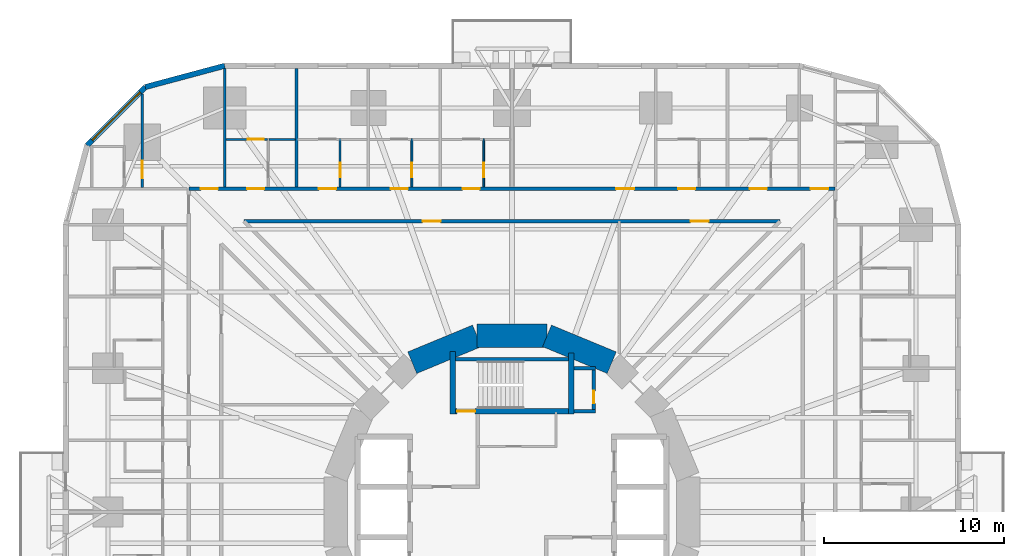
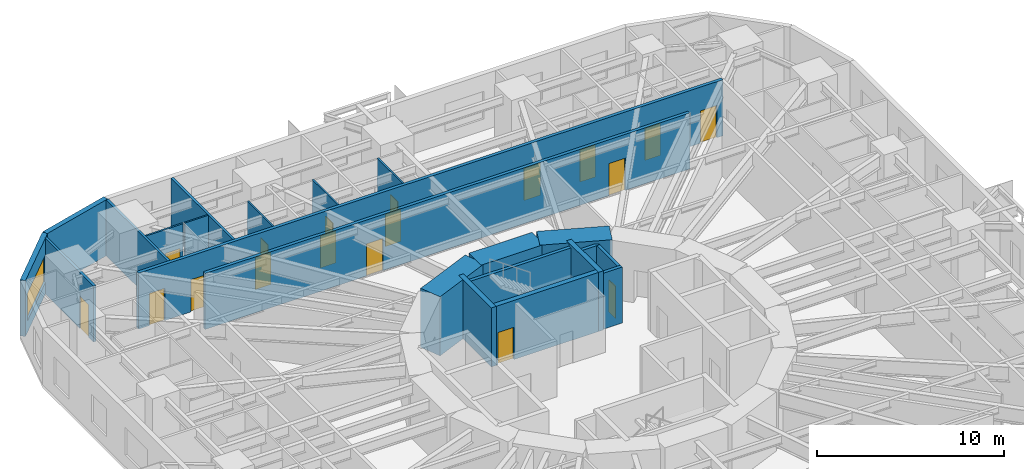
# One storey, part 10 of 14: 22 walls, 18 doors, 1 window, 19 openings.
"""IFC4 building model written with IfcOpenShell, lengths in metres."""

from ifc_helpers import new_model, si_unit, direction, frame, frame_2d, origin, place, context, subcontext, project, spatial, rectangle, extrude, material, layer, layer_set, type_object, element, fill, save


model = new_model("IFC4")

# Units and contexts
model_context = context("Model", 3, precision=1e-05, world=origin(), true_north=direction((0.0, 1.0)))
body_context = subcontext(model_context, "Body", "Model", "MODEL_VIEW")
ifc_project = project(units=[si_unit("LENGTHUNIT", "METRE"), si_unit("AREAUNIT", "SQUARE_METRE"), si_unit("VOLUMEUNIT", "CUBIC_METRE"), si_unit("PLANEANGLEUNIT", "RADIAN"), si_unit("MASSUNIT", "GRAM", prefix="KILO")], contexts=[model_context])

# Site, building, storey
site_placement = place(None, origin())
site = spatial("IfcSite", under=ifc_project, at=site_placement, CompositionType="ELEMENT")
building_placement = place(site_placement, origin())
building = spatial("IfcBuilding", under=site, at=building_placement, Name="Nakasero Lantern House", CompositionType="ELEMENT")
storey_placement = place(building_placement, frame((0.0, 0.0, 19.85009765625)))
storey = spatial("IfcBuildingStorey", under=building, at=storey_placement, Name="L04", CompositionType="ELEMENT", Elevation=19.85009765625)

# Wall, opening, door
ifc_material_1 = material(Name="Concrete C50/60", Category="concrete")
ifc_layer_1 = layer(ifc_material_1, 0.300048828125)
ifc_layer_set_1 = layer_set([ifc_layer_1], Name="Core inner wall 300")
wall_type_1 = type_object("IfcWallType", Name="Core inner wall 300", PredefinedType="SHEAR", material=ifc_layer_set_1)
wall_1_placement = place(storey_placement, frame((-3.449951171875, 5.60009765625, 0.0), z_axis=(0.0, 0.0, 1.0), x_axis=(1.0, 0.0, 0.0)))
wall_1 = element("IfcWall", 1, at=wall_1_placement, inside=storey, type_object=wall_type_1, Name="Core inner wall L04 SN", PredefinedType="SHEAR", context=body_context, shape_type="SweptSolid", body=[
    extrude(rectangle(XDim=6.89990234375, YDim=0.300048828125, at=frame_2d((3.449951171875, 0.0))), origin(), (0.0, 0.0, 1.0), 3.849853515625),
])
opening_1_placement = place(wall_1_placement, frame((0.39990234375, 0.0, 0.0)))
opening_1 = element("IfcOpeningElement", 2, at=opening_1_placement, cuts=wall_1, Name="Opening D05", PredefinedType="OPENING", context=body_context, shape_type="SweptSolid", body=[
    extrude(rectangle(XDim=1.0, YDim=2.10009765625, at=frame_2d((0.5, 1.050048828125))), frame((0.0, 0.169921875, 0.0), z_axis=(0.0, -1.0, 0.0), x_axis=(1.0, 0.0, 0.0)), (0.0, 0.0, 1.0), 0.340087890625),
])
ifc_material_2 = material(Name="Timber C24", Category="wood")
door_type_1 = type_object("IfcDoorType", Name="Core door FD60S 1000", OperationType="SINGLE_SWING_LEFT", PredefinedType="DOOR", material=ifc_material_2)
door_1_placement = place(opening_1_placement, origin())
door_1 = element("IfcDoor", 3, at=door_1_placement, inside=storey, type_object=door_type_1, Name="Door L04 D-ST1", OperationType="SINGLE_SWING_LEFT", OverallHeight=2.10009765625, OverallWidth=1.0, PredefinedType="DOOR", context=body_context, shape_type="SweptSolid", body=[
    extrude(rectangle(XDim=1.0, YDim=2.10009765625, at=frame_2d((0.5, 1.050048828125))), frame((0.0, 0.02490234375, 0.0), z_axis=(0.0, -1.0, 0.0), x_axis=(1.0, 0.0, 0.0)), (0.0, 0.0, 1.0), 0.050048828125),
])
fill(opening_1, door_1)

# Walls
wall_2_placement = place(storey_placement, frame((-3.300048828125, 5.449951171875, 0.0), z_axis=(0.0, 0.0, 1.0), x_axis=(0.0, 1.0, 0.0)))
element("IfcWall", 4, at=wall_2_placement, inside=storey, type_object=wall_type_1, Name="Core inner wall L04 SNW", PredefinedType="SHEAR", context=body_context, shape_type="SweptSolid", body=[
    extrude(rectangle(XDim=3.5, YDim=0.300048828125, at=frame_2d((1.75, 0.0))), origin(), (0.0, 0.0, 1.0), 3.849853515625),
])
wall_3_placement = place(storey_placement, frame((3.300048828125, 5.449951171875, 0.0), z_axis=(0.0, 0.0, 1.0), x_axis=(0.0, 1.0, 0.0)))
element("IfcWall", 5, at=wall_3_placement, inside=storey, type_object=wall_type_1, Name="Core inner wall L04 SNE", PredefinedType="SHEAR", context=body_context, shape_type="SweptSolid", body=[
    extrude(rectangle(XDim=3.400146484375, YDim=0.300048828125, at=frame_2d((1.7001953125, 0.0))), origin(), (0.0, 0.0, 1.0), 3.849853515625),
])
ifc_material_3 = material(Name="Concrete C50/60", Category="concrete")
ifc_layer_2 = layer(ifc_material_3, 1.300048828125)
ifc_layer_set_2 = layer_set([ifc_layer_2], Name="Core wall 1300")
wall_type_2 = type_object("IfcWallType", Name="Core wall 1300", PredefinedType="SHEAR", material=ifc_layer_set_2)
for number, where, z_axis, x_axis, name in (
    (6, (5.5556640625, 8.314697265625, 0.0), (0.0, 0.0, 1.0), (-0.923876507187, 0.382690736062, 0.0), "Core wall L04 facet 3"),
    (7, (1.950927734375, 9.807861328125, 0.0), (0.0, 0.0, 1.0), (-1.0, 0.0, 0.0), "Core wall L04 facet 4"),
    (8, (-1.950927734375, 9.807861328125, 0.0), (0.0, 0.0, 1.0), (-0.923876507187, -0.382690736062, 0.0), "Core wall L04 facet 5"),
):
    element("IfcWall", number, at=place(storey_placement, frame(where, z_axis=z_axis, x_axis=x_axis)), inside=storey, type_object=wall_type_2, Name=name, PredefinedType="SHEAR", context=body_context, shape_type="SweptSolid", body=[
        extrude(rectangle(XDim=3.90185546875, YDim=1.300048828125, at=frame_2d((1.950927734375, 0.0))), origin(), (0.0, 0.0, 1.0), 3.849853515625),
    ])

# Wall, openings, doors
ifc_material_4 = material(Name="Blockwork", Category="masonry")
ifc_layer_3 = layer(ifc_material_4, 0.199951171875)
ifc_layer_set_3 = layer_set([ifc_layer_3], Name="Corridor wall 200")
wall_type_3 = type_object("IfcWallType", Name="Corridor wall 200", PredefinedType="PARTITIONING", material=ifc_layer_set_3)
wall_4_placement = place(storey_placement, frame((18.0, 18.0, 0.0), z_axis=(0.0, 0.0, 1.0), x_axis=(-1.0, 0.0, 0.0)))
wall_4 = element("IfcWall", 9, at=wall_4_placement, inside=storey, type_object=wall_type_3, Name="Corridor wall L04 CW1", PredefinedType="PARTITIONING", context=body_context, shape_type="SweptSolid", body=[
    extrude(rectangle(XDim=36.0, YDim=0.199951171875, at=frame_2d((18.0, 0.0))), origin(), (0.0, 0.0, 1.0), 3.64990234375),
])
opening_2_placement = place(wall_4_placement, frame((0.375, 0.0, 0.0)))
opening_2 = element("IfcOpeningElement", 10, at=opening_2_placement, cuts=wall_4, Name="Opening D07", PredefinedType="OPENING", context=body_context, shape_type="SweptSolid", body=[
    extrude(rectangle(XDim=1.0, YDim=2.10009765625, at=frame_2d((0.5, 1.050048828125))), frame((0.0, 0.119873046875, 0.0), z_axis=(0.0, -1.0, 0.0), x_axis=(1.0, 0.0, 0.0)), (0.0, 0.0, 1.0), 0.239990234375),
])
opening_3_placement = place(wall_4_placement, frame((3.800048828125, 0.0, 0.0)))
opening_3 = element("IfcOpeningElement", 11, at=opening_3_placement, cuts=wall_4, Name="Opening D01", PredefinedType="OPENING", context=body_context, shape_type="SweptSolid", body=[
    extrude(rectangle(XDim=0.949951171875, YDim=2.10009765625, at=frame_2d((0.47509765625, 1.050048828125))), frame((0.0, 0.119873046875, 0.0), z_axis=(0.0, -1.0, 0.0), x_axis=(1.0, 0.0, 0.0)), (0.0, 0.0, 1.0), 0.239990234375),
])
opening_4_placement = place(wall_4_placement, frame((7.800048828125, 0.0, 0.0)))
opening_4 = element("IfcOpeningElement", 12, at=opening_4_placement, cuts=wall_4, Name="Opening D01", PredefinedType="OPENING", context=body_context, shape_type="SweptSolid", body=[
    extrude(rectangle(XDim=0.949951171875, YDim=2.10009765625, at=frame_2d((0.47509765625, 1.050048828125))), frame((0.0, 0.119873046875, 0.0), z_axis=(0.0, -1.0, 0.0), x_axis=(1.0, 0.0, 0.0)), (0.0, 0.0, 1.0), 0.239990234375),
])
opening_5_placement = place(wall_4_placement, frame((19.800048828125, 0.0, 0.0)))
opening_5 = element("IfcOpeningElement", 13, at=opening_5_placement, cuts=wall_4, Name="Opening D01", PredefinedType="OPENING", context=body_context, shape_type="SweptSolid", body=[
    extrude(rectangle(XDim=0.949951171875, YDim=2.10009765625, at=frame_2d((0.47509765625, 1.050048828125))), frame((0.0, 0.119873046875, 0.0), z_axis=(0.0, -1.0, 0.0), x_axis=(1.0, 0.0, 0.0)), (0.0, 0.0, 1.0), 0.239990234375),
])
opening_6_placement = place(wall_4_placement, frame((23.800048828125, 0.0, 0.0)))
opening_6 = element("IfcOpeningElement", 14, at=opening_6_placement, cuts=wall_4, Name="Opening D01", PredefinedType="OPENING", context=body_context, shape_type="SweptSolid", body=[
    extrude(rectangle(XDim=0.949951171875, YDim=2.10009765625, at=frame_2d((0.47509765625, 1.050048828125))), frame((0.0, 0.119873046875, 0.0), z_axis=(0.0, -1.0, 0.0), x_axis=(1.0, 0.0, 0.0)), (0.0, 0.0, 1.0), 0.239990234375),
])
opening_7_placement = place(wall_4_placement, frame((27.800048828125, 0.0, 0.0)))
opening_7 = element("IfcOpeningElement", 15, at=opening_7_placement, cuts=wall_4, Name="Opening D01", PredefinedType="OPENING", context=body_context, shape_type="SweptSolid", body=[
    extrude(rectangle(XDim=0.949951171875, YDim=2.10009765625, at=frame_2d((0.47509765625, 1.050048828125))), frame((0.0, 0.119873046875, 0.0), z_axis=(0.0, -1.0, 0.0), x_axis=(1.0, 0.0, 0.0)), (0.0, 0.0, 1.0), 0.239990234375),
])
opening_8_placement = place(wall_4_placement, frame((31.800048828125, 0.0, 0.0)))
opening_8 = element("IfcOpeningElement", 16, at=opening_8_placement, cuts=wall_4, Name="Opening D01", PredefinedType="OPENING", context=body_context, shape_type="SweptSolid", body=[
    extrude(rectangle(XDim=0.949951171875, YDim=2.10009765625, at=frame_2d((0.47509765625, 1.050048828125))), frame((0.0, 0.119873046875, 0.0), z_axis=(0.0, -1.0, 0.0), x_axis=(1.0, 0.0, 0.0)), (0.0, 0.0, 1.0), 0.239990234375),
])
opening_9_placement = place(wall_4_placement, frame((34.375, 0.0, 0.0)))
opening_9 = element("IfcOpeningElement", 17, at=opening_9_placement, cuts=wall_4, Name="Opening D01", PredefinedType="OPENING", context=body_context, shape_type="SweptSolid", body=[
    extrude(rectangle(XDim=0.949951171875, YDim=2.10009765625, at=frame_2d((0.47509765625, 1.050048828125))), frame((0.0, 0.119873046875, 0.0), z_axis=(0.0, -1.0, 0.0), x_axis=(1.0, 0.0, 0.0)), (0.0, 0.0, 1.0), 0.239990234375),
])
opening_10_placement = place(wall_4_placement, frame((11.199951171875, 0.0, 0.0)))
opening_10 = element("IfcOpeningElement", 18, at=opening_10_placement, cuts=wall_4, Name="Opening D03", PredefinedType="OPENING", context=body_context, shape_type="SweptSolid", body=[
    extrude(rectangle(XDim=1.0, YDim=2.10009765625, at=frame_2d((0.5, 1.050048828125))), frame((0.0, 0.119873046875, 0.0), z_axis=(0.0, -1.0, 0.0), x_axis=(1.0, 0.0, 0.0)), (0.0, 0.0, 1.0), 0.239990234375),
])
ifc_material_5 = material(Name="Timber C24", Category="wood")
door_type_2 = type_object("IfcDoorType", Name="Bedroom door FD30S 950", OperationType="SINGLE_SWING_LEFT", PredefinedType="DOOR", material=ifc_material_5)
door_2_placement = place(opening_3_placement, origin())
door_2 = element("IfcDoor", 19, at=door_2_placement, inside=storey, type_object=door_type_2, Name="Door L04 D1-01", OperationType="SINGLE_SWING_LEFT", OverallHeight=2.10009765625, OverallWidth=0.949951171875, PredefinedType="DOOR", context=body_context, shape_type="SweptSolid", body=[
    extrude(rectangle(XDim=0.949951171875, YDim=2.10009765625, at=frame_2d((0.47509765625, 1.050048828125))), frame((0.0, 0.02490234375, 0.0), z_axis=(0.0, -1.0, 0.0), x_axis=(1.0, 0.0, 0.0)), (0.0, 0.0, 1.0), 0.050048828125),
])
fill(opening_3, door_2)
door_3_placement = place(opening_4_placement, origin())
door_3 = element("IfcDoor", 20, at=door_3_placement, inside=storey, type_object=door_type_2, Name="Door L04 D1-02", OperationType="SINGLE_SWING_LEFT", OverallHeight=2.10009765625, OverallWidth=0.949951171875, PredefinedType="DOOR", context=body_context, shape_type="SweptSolid", body=[
    extrude(rectangle(XDim=0.949951171875, YDim=2.10009765625, at=frame_2d((0.47509765625, 1.050048828125))), frame((0.0, 0.02490234375, 0.0), z_axis=(0.0, -1.0, 0.0), x_axis=(1.0, 0.0, 0.0)), (0.0, 0.0, 1.0), 0.050048828125),
])
fill(opening_4, door_3)
door_4_placement = place(opening_5_placement, origin())
door_4 = element("IfcDoor", 21, at=door_4_placement, inside=storey, type_object=door_type_2, Name="Door L04 D1-05", OperationType="SINGLE_SWING_RIGHT", OverallHeight=2.10009765625, OverallWidth=0.949951171875, PredefinedType="DOOR", context=body_context, shape_type="SweptSolid", body=[
    extrude(rectangle(XDim=0.949951171875, YDim=2.10009765625, at=frame_2d((0.47509765625, 1.050048828125))), frame((0.0, 0.02490234375, 0.0), z_axis=(0.0, -1.0, 0.0), x_axis=(1.0, 0.0, 0.0)), (0.0, 0.0, 1.0), 0.050048828125),
])
fill(opening_5, door_4)
door_5_placement = place(opening_6_placement, origin())
door_5 = element("IfcDoor", 22, at=door_5_placement, inside=storey, type_object=door_type_2, Name="Door L04 D1-06", OperationType="SINGLE_SWING_RIGHT", OverallHeight=2.10009765625, OverallWidth=0.949951171875, PredefinedType="DOOR", context=body_context, shape_type="SweptSolid", body=[
    extrude(rectangle(XDim=0.949951171875, YDim=2.10009765625, at=frame_2d((0.47509765625, 1.050048828125))), frame((0.0, 0.02490234375, 0.0), z_axis=(0.0, -1.0, 0.0), x_axis=(1.0, 0.0, 0.0)), (0.0, 0.0, 1.0), 0.050048828125),
])
fill(opening_6, door_5)
door_6_placement = place(opening_7_placement, origin())
door_6 = element("IfcDoor", 23, at=door_6_placement, inside=storey, type_object=door_type_2, Name="Door L04 D1-07", OperationType="SINGLE_SWING_RIGHT", OverallHeight=2.10009765625, OverallWidth=0.949951171875, PredefinedType="DOOR", context=body_context, shape_type="SweptSolid", body=[
    extrude(rectangle(XDim=0.949951171875, YDim=2.10009765625, at=frame_2d((0.47509765625, 1.050048828125))), frame((0.0, 0.02490234375, 0.0), z_axis=(0.0, -1.0, 0.0), x_axis=(1.0, 0.0, 0.0)), (0.0, 0.0, 1.0), 0.050048828125),
])
fill(opening_7, door_6)
door_7_placement = place(opening_8_placement, origin())
door_7 = element("IfcDoor", 24, at=door_7_placement, inside=storey, type_object=door_type_2, Name="Door L04 D1-08", OperationType="SINGLE_SWING_RIGHT", OverallHeight=2.10009765625, OverallWidth=0.949951171875, PredefinedType="DOOR", context=body_context, shape_type="SweptSolid", body=[
    extrude(rectangle(XDim=0.949951171875, YDim=2.10009765625, at=frame_2d((0.47509765625, 1.050048828125))), frame((0.0, 0.02490234375, 0.0), z_axis=(0.0, -1.0, 0.0), x_axis=(1.0, 0.0, 0.0)), (0.0, 0.0, 1.0), 0.050048828125),
])
fill(opening_8, door_7)
door_8_placement = place(opening_9_placement, origin())
door_8 = element("IfcDoor", 25, at=door_8_placement, inside=storey, type_object=door_type_2, Name="Door L04 D1-09", OperationType="SINGLE_SWING_RIGHT", OverallHeight=2.10009765625, OverallWidth=0.949951171875, PredefinedType="DOOR", context=body_context, shape_type="SweptSolid", body=[
    extrude(rectangle(XDim=0.949951171875, YDim=2.10009765625, at=frame_2d((0.47509765625, 1.050048828125))), frame((0.0, 0.02490234375, 0.0), z_axis=(0.0, -1.0, 0.0), x_axis=(1.0, 0.0, 0.0)), (0.0, 0.0, 1.0), 0.050048828125),
])
fill(opening_9, door_8)
ifc_material_6 = material(Name="Timber C24", Category="wood")
door_type_3 = type_object("IfcDoorType", Name="Lounge door FD30S 1000", OperationType="SINGLE_SWING_LEFT", PredefinedType="DOOR", material=ifc_material_6)
door_9_placement = place(opening_10_placement, origin())
door_9 = element("IfcDoor", 26, at=door_9_placement, inside=storey, type_object=door_type_3, Name="Door L04 DK1", OperationType="SINGLE_SWING_LEFT", OverallHeight=2.10009765625, OverallWidth=1.0, PredefinedType="DOOR", context=body_context, shape_type="SweptSolid", body=[
    extrude(rectangle(XDim=1.0, YDim=2.10009765625, at=frame_2d((0.5, 1.050048828125))), frame((0.0, 0.02490234375, 0.0), z_axis=(0.0, -1.0, 0.0), x_axis=(1.0, 0.0, 0.0)), (0.0, 0.0, 1.0), 0.050048828125),
])
fill(opening_10, door_9)
ifc_material_7 = material(Name="Timber C24", Category="wood")
door_type_4 = type_object("IfcDoorType", Name="Room door FD30S 1000", OperationType="SINGLE_SWING_LEFT", PredefinedType="DOOR", material=ifc_material_7)
door_10_placement = place(opening_2_placement, origin())
door_10 = element("IfcDoor", 27, at=door_10_placement, inside=storey, type_object=door_type_4, Name="Door L04 D1-00", OperationType="SINGLE_SWING_LEFT", OverallHeight=2.10009765625, OverallWidth=1.0, PredefinedType="DOOR", context=body_context, shape_type="SweptSolid", body=[
    extrude(rectangle(XDim=1.0, YDim=2.10009765625, at=frame_2d((0.5, 1.050048828125))), frame((0.0, 0.02490234375, 0.0), z_axis=(0.0, -1.0, 0.0), x_axis=(1.0, 0.0, 0.0)), (0.0, 0.0, 1.0), 0.050048828125),
])
fill(opening_2, door_10)

wall_5_placement = place(storey_placement, frame((14.92724609375, 16.199951171875, 0.0), z_axis=(0.0, 0.0, 1.0), x_axis=(-1.0, 0.0, 0.0)))
wall_5 = element("IfcWall", 28, at=wall_5_placement, inside=storey, type_object=wall_type_3, Name="Corridor wall L04 IW1-0", PredefinedType="PARTITIONING", context=body_context, shape_type="SweptSolid", body=[
    extrude(rectangle(XDim=29.8544921875, YDim=0.199951171875, at=frame_2d((14.92724609375, 0.0))), origin(), (0.0, 0.0, 1.0), 3.64990234375),
])
opening_11_placement = place(wall_5_placement, frame((3.978271484375, 0.0, 0.0)))
opening_11 = element("IfcOpeningElement", 29, at=opening_11_placement, cuts=wall_5, Name="Opening D07", PredefinedType="OPENING", context=body_context, shape_type="SweptSolid", body=[
    extrude(rectangle(XDim=1.0, YDim=2.10009765625, at=frame_2d((0.5, 1.050048828125))), frame((0.0, 0.119873046875, 0.0), z_axis=(0.0, -1.0, 0.0), x_axis=(1.0, 0.0, 0.0)), (0.0, 0.0, 1.0), 0.239990234375),
])
opening_12_placement = place(wall_5_placement, frame((18.9052734375, 0.0, 0.0)))
opening_12 = element("IfcOpeningElement", 30, at=opening_12_placement, cuts=wall_5, Name="Opening D07", PredefinedType="OPENING", context=body_context, shape_type="SweptSolid", body=[
    extrude(rectangle(XDim=1.0, YDim=2.10009765625, at=frame_2d((0.5, 1.050048828125))), frame((0.0, 0.119873046875, 0.0), z_axis=(0.0, -1.0, 0.0), x_axis=(1.0, 0.0, 0.0)), (0.0, 0.0, 1.0), 0.239990234375),
])
door_11_placement = place(opening_11_placement, origin())
door_11 = element("IfcDoor", 31, at=door_11_placement, inside=storey, type_object=door_type_4, Name="Door L04 DI2", OperationType="SINGLE_SWING_LEFT", OverallHeight=2.10009765625, OverallWidth=1.0, PredefinedType="DOOR", context=body_context, shape_type="SweptSolid", body=[
    extrude(rectangle(XDim=1.0, YDim=2.10009765625, at=frame_2d((0.5, 1.050048828125))), frame((0.0, 0.02490234375, 0.0), z_axis=(0.0, -1.0, 0.0), x_axis=(1.0, 0.0, 0.0)), (0.0, 0.0, 1.0), 0.050048828125),
])
fill(opening_11, door_11)
door_12_placement = place(opening_12_placement, origin())
door_12 = element("IfcDoor", 32, at=door_12_placement, inside=storey, type_object=door_type_4, Name="Door L04 DI2S", OperationType="SINGLE_SWING_RIGHT", OverallHeight=2.10009765625, OverallWidth=1.0, PredefinedType="DOOR", context=body_context, shape_type="SweptSolid", body=[
    extrude(rectangle(XDim=1.0, YDim=2.10009765625, at=frame_2d((0.5, 1.050048828125))), frame((0.0, 0.02490234375, 0.0), z_axis=(0.0, -1.0, 0.0), x_axis=(1.0, 0.0, 0.0)), (0.0, 0.0, 1.0), 0.050048828125),
])
fill(opening_12, door_12)

# Wall, opening, door
ifc_material_8 = material(Name="Blockwork", Category="masonry")
ifc_layer_4 = layer(ifc_material_8, 0.10009765625)
ifc_layer_set_4 = layer_set([ifc_layer_4], Name="En-suite wall 100")
wall_type_4 = type_object("IfcWallType", Name="En-suite wall 100", PredefinedType="PARTITIONING", material=ifc_layer_set_4)
wall_6_placement = place(storey_placement, frame((-1.574951171875, 18.10009765625, 0.0), z_axis=(0.0, 0.0, 1.0), x_axis=(0.0, 1.0, 0.0)))
wall_6 = element("IfcWall", 33, at=wall_6_placement, inside=storey, type_object=wall_type_4, Name="En-suite wall L04 ES1-05", PredefinedType="PARTITIONING", context=body_context, shape_type="SweptSolid", body=[
    extrude(rectangle(XDim=2.699951171875, YDim=0.10009765625, at=frame_2d((1.35009765625, 0.0))), origin(), (0.0, 0.0, 1.0), 3.64990234375),
])
opening_13_placement = place(wall_6_placement, frame((0.550048828125, 0.0, 0.0)))
opening_13 = element("IfcOpeningElement", 34, at=opening_13_placement, cuts=wall_6, Name="Opening D02", PredefinedType="OPENING", context=body_context, shape_type="SweptSolid", body=[
    extrude(rectangle(XDim=0.800048828125, YDim=2.10009765625, at=frame_2d((0.39990234375, 1.050048828125))), frame((0.0, 0.070068359375, 0.0), z_axis=(0.0, -1.0, 0.0), x_axis=(1.0, 0.0, 0.0)), (0.0, 0.0, 1.0), 0.14013671875),
])
ifc_material_9 = material(Name="Timber C24", Category="wood")
door_type_5 = type_object("IfcDoorType", Name="En-suite door 800", OperationType="SINGLE_SWING_RIGHT", PredefinedType="DOOR", material=ifc_material_9)
door_13_placement = place(opening_13_placement, origin())
door_13 = element("IfcDoor", 35, at=door_13_placement, inside=storey, type_object=door_type_5, Name="Door L04 DE1-05", OperationType="SINGLE_SWING_LEFT", OverallHeight=2.10009765625, OverallWidth=0.800048828125, PredefinedType="DOOR", context=body_context, shape_type="SweptSolid", body=[
    extrude(rectangle(XDim=0.800048828125, YDim=2.10009765625, at=frame_2d((0.39990234375, 1.050048828125))), frame((0.0, 0.02490234375, 0.0), z_axis=(0.0, -1.0, 0.0), x_axis=(1.0, 0.0, 0.0)), (0.0, 0.0, 1.0), 0.050048828125),
])
fill(opening_13, door_13)

wall_7_placement = place(storey_placement, frame((-5.574951171875, 18.10009765625, 0.0), z_axis=(0.0, 0.0, 1.0), x_axis=(0.0, 1.0, 0.0)))
wall_7 = element("IfcWall", 36, at=wall_7_placement, inside=storey, type_object=wall_type_4, Name="En-suite wall L04 ES1-06", PredefinedType="PARTITIONING", context=body_context, shape_type="SweptSolid", body=[
    extrude(rectangle(XDim=2.699951171875, YDim=0.10009765625, at=frame_2d((1.35009765625, 0.0))), origin(), (0.0, 0.0, 1.0), 3.64990234375),
])
opening_14_placement = place(wall_7_placement, frame((0.550048828125, 0.0, 0.0)))
opening_14 = element("IfcOpeningElement", 37, at=opening_14_placement, cuts=wall_7, Name="Opening D02", PredefinedType="OPENING", context=body_context, shape_type="SweptSolid", body=[
    extrude(rectangle(XDim=0.800048828125, YDim=2.10009765625, at=frame_2d((0.39990234375, 1.050048828125))), frame((0.0, 0.070068359375, 0.0), z_axis=(0.0, -1.0, 0.0), x_axis=(1.0, 0.0, 0.0)), (0.0, 0.0, 1.0), 0.14013671875),
])
door_14_placement = place(opening_14_placement, origin())
door_14 = element("IfcDoor", 38, at=door_14_placement, inside=storey, type_object=door_type_5, Name="Door L04 DE1-06", OperationType="SINGLE_SWING_LEFT", OverallHeight=2.10009765625, OverallWidth=0.800048828125, PredefinedType="DOOR", context=body_context, shape_type="SweptSolid", body=[
    extrude(rectangle(XDim=0.800048828125, YDim=2.10009765625, at=frame_2d((0.39990234375, 1.050048828125))), frame((0.0, 0.02490234375, 0.0), z_axis=(0.0, -1.0, 0.0), x_axis=(1.0, 0.0, 0.0)), (0.0, 0.0, 1.0), 0.050048828125),
])
fill(opening_14, door_14)

wall_8_placement = place(storey_placement, frame((-9.574951171875, 18.10009765625, 0.0), z_axis=(0.0, 0.0, 1.0), x_axis=(0.0, 1.0, 0.0)))
wall_8 = element("IfcWall", 39, at=wall_8_placement, inside=storey, type_object=wall_type_4, Name="En-suite wall L04 ES1-07", PredefinedType="PARTITIONING", context=body_context, shape_type="SweptSolid", body=[
    extrude(rectangle(XDim=2.699951171875, YDim=0.10009765625, at=frame_2d((1.35009765625, 0.0))), origin(), (0.0, 0.0, 1.0), 3.64990234375),
])
opening_15_placement = place(wall_8_placement, frame((0.550048828125, 0.0, 0.0)))
opening_15 = element("IfcOpeningElement", 40, at=opening_15_placement, cuts=wall_8, Name="Opening D02", PredefinedType="OPENING", context=body_context, shape_type="SweptSolid", body=[
    extrude(rectangle(XDim=0.800048828125, YDim=2.10009765625, at=frame_2d((0.39990234375, 1.050048828125))), frame((0.0, 0.070068359375, 0.0), z_axis=(0.0, -1.0, 0.0), x_axis=(1.0, 0.0, 0.0)), (0.0, 0.0, 1.0), 0.14013671875),
])
door_15_placement = place(opening_15_placement, origin())
door_15 = element("IfcDoor", 41, at=door_15_placement, inside=storey, type_object=door_type_5, Name="Door L04 DE1-07", OperationType="SINGLE_SWING_LEFT", OverallHeight=2.10009765625, OverallWidth=0.800048828125, PredefinedType="DOOR", context=body_context, shape_type="SweptSolid", body=[
    extrude(rectangle(XDim=0.800048828125, YDim=2.10009765625, at=frame_2d((0.39990234375, 1.050048828125))), frame((0.0, 0.02490234375, 0.0), z_axis=(0.0, -1.0, 0.0), x_axis=(1.0, 0.0, 0.0)), (0.0, 0.0, 1.0), 0.050048828125),
])
fill(opening_15, door_15)

# Wall
wall_9_placement = place(storey_placement, frame((-12.074951171875, 20.75, 0.0), z_axis=(0.0, 0.0, 1.0), x_axis=(-1.0, 0.0, 0.0)))
element("IfcWall", 42, at=wall_9_placement, inside=storey, type_object=wall_type_4, Name="En-suite wall L04 EE1-08", PredefinedType="PARTITIONING", context=body_context, shape_type="SweptSolid", body=[
    extrude(rectangle(XDim=1.449951171875, YDim=0.10009765625, at=frame_2d((0.72509765625, 0.0))), origin(), (0.0, 0.0, 1.0), 3.64990234375),
])

# Wall, opening, door
wall_10_placement = place(storey_placement, frame((-13.625, 20.75, 0.0), z_axis=(0.0, 0.0, 1.0), x_axis=(-1.0, 0.0, 0.0)))
wall_10 = element("IfcWall", 43, at=wall_10_placement, inside=storey, type_object=wall_type_4, Name="En-suite wall L04 EL1-08", PredefinedType="PARTITIONING", context=body_context, shape_type="SweptSolid", body=[
    extrude(rectangle(XDim=2.300048828125, YDim=0.10009765625, at=frame_2d((1.14990234375, 0.0))), origin(), (0.0, 0.0, 1.0), 3.64990234375),
])
opening_16_placement = place(wall_10_placement, frame((0.199951171875, 0.0, 0.0)))
opening_16 = element("IfcOpeningElement", 44, at=opening_16_placement, cuts=wall_10, Name="Opening D17", PredefinedType="OPENING", context=body_context, shape_type="SweptSolid", body=[
    extrude(rectangle(XDim=0.89990234375, YDim=2.10009765625, at=frame_2d((0.449951171875, 1.050048828125))), frame((0.0, 0.070068359375, 0.0), z_axis=(0.0, -1.0, 0.0), x_axis=(1.0, 0.0, 0.0)), (0.0, 0.0, 1.0), 0.14013671875),
])
ifc_material_10 = material(Name="Timber C24", Category="wood")
door_type_6 = type_object("IfcDoorType", Name="Bedroom door FD30S 900", OperationType="SINGLE_SWING_LEFT", PredefinedType="DOOR", material=ifc_material_10)
door_16_placement = place(opening_16_placement, origin())
door_16 = element("IfcDoor", 45, at=door_16_placement, inside=storey, type_object=door_type_6, Name="Door L04 DL1-08", OperationType="SINGLE_SWING_LEFT", OverallHeight=2.10009765625, OverallWidth=0.89990234375, PredefinedType="DOOR", context=body_context, shape_type="SweptSolid", body=[
    extrude(rectangle(XDim=0.89990234375, YDim=2.10009765625, at=frame_2d((0.449951171875, 1.050048828125))), frame((0.0, 0.02490234375, 0.0), z_axis=(0.0, -1.0, 0.0), x_axis=(1.0, 0.0, 0.0)), (0.0, 0.0, 1.0), 0.050048828125),
])
fill(opening_16, door_16)

# Wall
ifc_material_11 = material(Name="Aluminium rainscreen on blockwork", Category="masonry")
ifc_layer_5 = layer(ifc_material_11, 0.300048828125)
ifc_layer_set_5 = layer_set([ifc_layer_5], Name="Facade wall 300")
wall_type_5 = type_object("IfcWallType", Name="Facade wall 300", PredefinedType="SOLIDWALL", material=ifc_layer_set_5)
wall_11_placement = place(storey_placement, frame((-16.0, 24.85009765625, 0.0), z_axis=(0.0, 0.0, 1.0), x_axis=(-0.965920218567, -0.258839972501, 0.0)))
element("IfcWall", 46, at=wall_11_placement, inside=storey, type_object=wall_type_5, Name="Facade wall L04 FW1C1", PredefinedType="SOLIDWALL", context=body_context, shape_type="SweptSolid", body=[
    extrude(rectangle(XDim=4.5810546875, YDim=0.300048828125, at=frame_2d((2.29052734375, 0.0))), origin(), (0.0, 0.0, 1.0), 3.64990234375),
])

# Wall, opening, window
wall_12_placement = place(storey_placement, frame((-20.425048828125, 23.664306640625, 0.0), z_axis=(0.0, 0.0, 1.0), x_axis=(-0.707106781187, -0.707106781187, 0.0)))
wall_12 = element("IfcWall", 47, at=wall_12_placement, inside=storey, type_object=wall_type_5, Name="Facade wall L04 FW1C2", PredefinedType="SOLIDWALL", context=body_context, shape_type="SweptSolid", body=[
    extrude(rectangle(XDim=4.5810546875, YDim=0.300048828125, at=frame_2d((2.29052734375, 0.0))), origin(), (0.0, 0.0, 1.0), 3.64990234375),
])
opening_17_placement = place(wall_12_placement, frame((0.39990234375, 0.0, 0.75)))
opening_17 = element("IfcOpeningElement", 48, at=opening_17_placement, cuts=wall_12, Name="Opening W237", PredefinedType="OPENING", context=body_context, shape_type="SweptSolid", body=[
    extrude(rectangle(XDim=3.781005859375, YDim=1.800048828125, at=frame_2d((1.890625, 0.89990234375))), frame((0.0, 0.169921875, 0.0), z_axis=(0.0, -1.0, 0.0), x_axis=(1.0, 0.0, 0.0)), (0.0, 0.0, 1.0), 0.340087890625),
])
ifc_material_12 = material(Name="Aluminium 6063-T6 and glass", Category="aluminium")
window_type = type_object("IfcWindowType", Name="Corner window 3781x1800", PartitioningType="SINGLE_PANEL", PredefinedType="WINDOW", material=ifc_material_12)
window_placement = place(opening_17_placement, origin())
window = element("IfcWindow", 49, at=window_placement, inside=storey, type_object=window_type, Name="Window L04 WC1", OverallHeight=1.800048828125, OverallWidth=3.781005859375, PartitioningType="SINGLE_PANEL", PredefinedType="WINDOW", context=body_context, shape_type="SweptSolid", body=[
    extrude(rectangle(XDim=3.781005859375, YDim=1.800048828125, at=frame_2d((1.890625, 0.89990234375))), frame((0.0, 0.030029296875, 0.0), z_axis=(0.0, -1.0, 0.0), x_axis=(1.0, 0.0, 0.0)), (0.0, 0.0, 1.0), 0.06005859375),
])
fill(opening_17, window)

# Wall, opening, door
ifc_material_13 = material(Name="Blockwork", Category="masonry")
ifc_layer_6 = layer(ifc_material_13, 0.199951171875)
ifc_layer_set_6 = layer_set([ifc_layer_6], Name="Fire lobby wall 200")
wall_type_6 = type_object("IfcWallType", Name="Fire lobby wall 200", PredefinedType="PARTITIONING", material=ifc_layer_set_6)
wall_13_placement = place(storey_placement, frame((4.550048828125, 5.60009765625, 0.0), z_axis=(0.0, 0.0, 1.0), x_axis=(0.0, 1.0, 0.0)))
wall_13 = element("IfcWall", 50, at=wall_13_placement, inside=storey, type_object=wall_type_6, Name="Fire lobby wall L04 W-RS1E", PredefinedType="PARTITIONING", context=body_context, shape_type="SweptSolid", body=[
    extrude(rectangle(XDim=2.39990234375, YDim=0.199951171875, at=frame_2d((1.199951171875, 0.0))), origin(), (0.0, 0.0, 1.0), 3.64990234375),
])
opening_18_placement = place(wall_13_placement, frame((0.449951171875, 0.0, 0.0)))
opening_18 = element("IfcOpeningElement", 51, at=opening_18_placement, cuts=wall_13, Name="Opening D06", PredefinedType="OPENING", context=body_context, shape_type="SweptSolid", body=[
    extrude(rectangle(XDim=0.699951171875, YDim=2.10009765625, at=frame_2d((0.35009765625, 1.050048828125))), frame((0.0, 0.119873046875, 0.0), z_axis=(0.0, -1.0, 0.0), x_axis=(1.0, 0.0, 0.0)), (0.0, 0.0, 1.0), 0.239990234375),
])
ifc_material_14 = material(Name="Steel S355", Category="steel")
door_type_7 = type_object("IfcDoorType", Name="Riser door FD60 700", OperationType="SINGLE_SWING_LEFT", PredefinedType="DOOR", material=ifc_material_14)
door_17_placement = place(opening_18_placement, origin())
door_17 = element("IfcDoor", 52, at=door_17_placement, inside=storey, type_object=door_type_7, Name="Door L04 D-RS1", OperationType="SINGLE_SWING_LEFT", OverallHeight=2.10009765625, OverallWidth=0.699951171875, PredefinedType="DOOR", context=body_context, shape_type="SweptSolid", body=[
    extrude(rectangle(XDim=0.699951171875, YDim=2.10009765625, at=frame_2d((0.35009765625, 1.050048828125))), frame((0.0, 0.02490234375, 0.0), z_axis=(0.0, -1.0, 0.0), x_axis=(1.0, 0.0, 0.0)), (0.0, 0.0, 1.0), 0.050048828125),
])
fill(opening_18, door_17)

# Walls
for number, where, z_axis, x_axis, name in (
    (53, (3.449951171875, 8.0, 0.0), (0.0, 0.0, 1.0), (1.0, 0.0, 0.0), "Fire lobby wall L04 W-RS1N"),
    (54, (3.449951171875, 5.60009765625, 0.0), (0.0, 0.0, 1.0), (1.0, 0.0, 0.0), "Fire lobby wall L04 W-RS1S"),
):
    element("IfcWall", number, at=place(storey_placement, frame(where, z_axis=z_axis, x_axis=x_axis)), inside=storey, type_object=wall_type_6, Name=name, PredefinedType="PARTITIONING", context=body_context, shape_type="SweptSolid", body=[
        extrude(rectangle(XDim=1.199951171875, YDim=0.199951171875, at=frame_2d((0.60009765625, 0.0))), origin(), (0.0, 0.0, 1.0), 3.64990234375),
    ])
wall_14_placement = place(storey_placement, frame((-3.300048828125, 8.5, 0.0), z_axis=(0.0, 0.0, 1.0), x_axis=(1.0, 0.0, 0.0)))
element("IfcWall", 55, at=wall_14_placement, inside=storey, type_object=wall_type_6, Name="Fire lobby wall L04 W-STN", PredefinedType="PARTITIONING", context=body_context, shape_type="SweptSolid", body=[
    extrude(rectangle(XDim=6.60009765625, YDim=0.199951171875, at=frame_2d((3.300048828125, 0.0))), origin(), (0.0, 0.0, 1.0), 3.64990234375),
])
ifc_material_15 = material(Name="Blockwork", Category="masonry")
ifc_layer_7 = layer(ifc_material_15, 0.14990234375)
ifc_layer_set_7 = layer_set([ifc_layer_7], Name="Party wall 150")
wall_type_7 = type_object("IfcWallType", Name="Party wall 150", PredefinedType="PARTITIONING", material=ifc_layer_set_7)
wall_15_placement = place(storey_placement, frame((-12.0, 18.10009765625, 0.0), z_axis=(0.0, 0.0, 1.0), x_axis=(0.0, 1.0, 0.0)))
element("IfcWall", 56, at=wall_15_placement, inside=storey, type_object=wall_type_7, Name="Party wall L04 PW1-08", PredefinedType="PARTITIONING", context=body_context, shape_type="SweptSolid", body=[
    extrude(rectangle(XDim=6.599853515625, YDim=0.14990234375, at=frame_2d((3.2998046875, 0.0))), origin(), (0.0, 0.0, 1.0), 3.64990234375),
])
wall_16_placement = place(storey_placement, frame((-16.0, 18.10009765625, 0.0), z_axis=(0.0, 0.0, 1.0), x_axis=(0.0, 1.0, 0.0)))
element("IfcWall", 57, at=wall_16_placement, inside=storey, type_object=wall_type_7, Name="Party wall L04 PW1-09", PredefinedType="PARTITIONING", context=body_context, shape_type="SweptSolid", body=[
    extrude(rectangle(XDim=6.58935546875, YDim=0.14990234375, at=frame_2d((3.294677734375, 0.0))), origin(), (0.0, 0.0, 1.0), 3.64990234375),
])

# Wall, opening, door
wall_17_placement = place(storey_placement, frame((-20.59619140625, 18.06494140625, 0.0), z_axis=(0.0, 0.0, 1.0), x_axis=(0.0, 1.0, 0.0)))
wall_17 = element("IfcWall", 58, at=wall_17_placement, inside=storey, type_object=wall_type_7, Name="Party wall L04 PC1", PredefinedType="PARTITIONING", context=body_context, shape_type="SweptSolid", body=[
    extrude(rectangle(XDim=5.208740234375, YDim=0.14990234375, at=frame_2d((2.6044921875, 0.0))), origin(), (0.0, 0.0, 1.0), 3.64990234375),
])
opening_19_placement = place(wall_17_placement, frame((0.534912109375, 0.0, 0.0)))
opening_19 = element("IfcOpeningElement", 59, at=opening_19_placement, cuts=wall_17, Name="Opening D01", PredefinedType="OPENING", context=body_context, shape_type="SweptSolid", body=[
    extrude(rectangle(XDim=0.949951171875, YDim=2.10009765625, at=frame_2d((0.47509765625, 1.050048828125))), frame((0.0, 0.094970703125, 0.0), z_axis=(0.0, -1.0, 0.0), x_axis=(1.0, 0.0, 0.0)), (0.0, 0.0, 1.0), 0.18994140625),
])
door_18_placement = place(opening_19_placement, origin())
door_18 = element("IfcDoor", 60, at=door_18_placement, inside=storey, type_object=door_type_2, Name="Door L04 DC1", OperationType="SINGLE_SWING_LEFT", OverallHeight=2.10009765625, OverallWidth=0.949951171875, PredefinedType="DOOR", context=body_context, shape_type="SweptSolid", body=[
    extrude(rectangle(XDim=0.949951171875, YDim=2.10009765625, at=frame_2d((0.47509765625, 1.050048828125))), frame((0.0, 0.02490234375, 0.0), z_axis=(0.0, -1.0, 0.0), x_axis=(1.0, 0.0, 0.0)), (0.0, 0.0, 1.0), 0.050048828125),
])
fill(opening_19, door_18)

save(model, "model.ifc")
